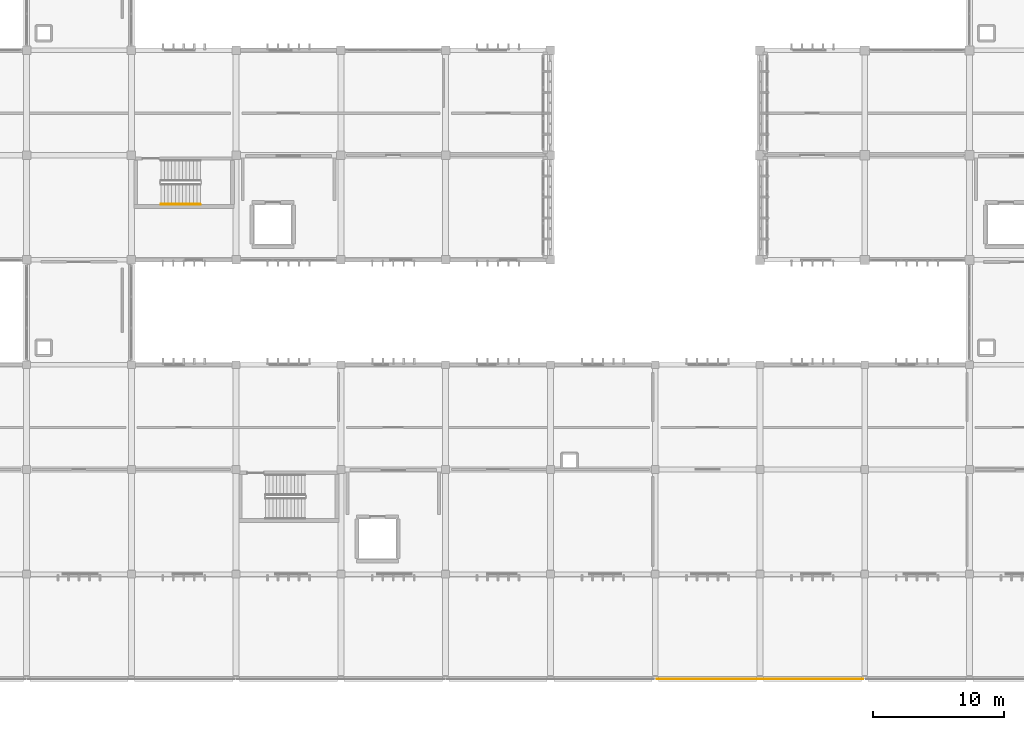
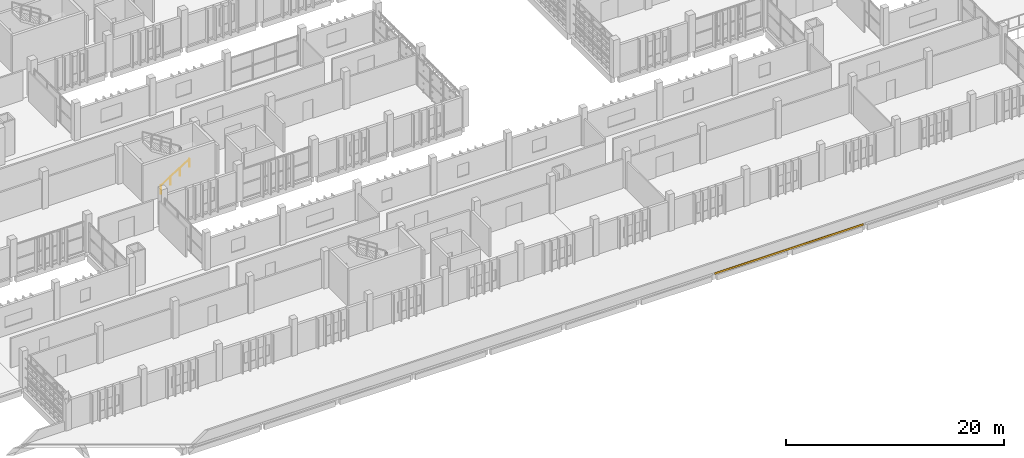
# One storey, part 132 of 137: 1 covering, 1 railing.
"""IFC4 building model written with IfcOpenShell, lengths in metres."""

from ifc_helpers import new_model, si_unit, direction, frame, origin, origin_2d, place, context, subcontext, project, spatial, rectangle, circle, extrude, material, layer, layer_set, type_object, element, save


model = new_model("IFC4")

# Units and contexts
model_context = context("Model", 3, precision=1e-05, world=origin(), true_north=direction((0.0, 1.0)))
body_context = subcontext(model_context, "Body", "Model", "MODEL_VIEW")
ifc_project = project(units=[si_unit("LENGTHUNIT", "METRE"), si_unit("AREAUNIT", "SQUARE_METRE"), si_unit("VOLUMEUNIT", "CUBIC_METRE"), si_unit("PLANEANGLEUNIT", "RADIAN"), si_unit("MASSUNIT", "GRAM", prefix="KILO")], contexts=[model_context])

# Site, building, storey
site_placement = place(None, origin())
site = spatial("IfcSite", under=ifc_project, at=site_placement, CompositionType="ELEMENT")
building_placement = place(site_placement, origin())
building = spatial("IfcBuilding", under=site, at=building_placement, Name="Jelvoka-Kovrelna Polytechnic", CompositionType="ELEMENT")
storey_placement = place(building_placement, frame((0.0, 0.0, 9.60009765625)))
storey = spatial("IfcBuildingStorey", under=building, at=storey_placement, Name="L03", CompositionType="ELEMENT", Elevation=9.60009765625)

# Covering
ifc_material_1 = material(Name="Anodised aluminium architectural fascia cladding", Category="aluminium")
ifc_layer = layer(ifc_material_1, 0.0400390625)
ifc_layer_set = layer_set([ifc_layer], Name="Anodised aluminium architectural fascia cladding")
covering_type = type_object("IfcCoveringType", Name="Covering_Fascia_Cladding_40", PredefinedType="CLADDING", material=ifc_layer_set)
covering_placement = place(storey_placement, frame((128.0, 0.0, -0.205078125), z_axis=(0.0, 0.0, 1.0), x_axis=(1.0, 0.0, 0.0)))
element("IfcCovering", 1, at=covering_placement, inside=storey, type_object=covering_type, Name="L03 colonnade eave anodised fascia cladding 05", PredefinedType="CLADDING", context=body_context, shape_type="SweptSolid", body=[
    extrude(rectangle(XDim=15.800048828125, YDim=0.0400390625, at=origin_2d()), origin(), (0.0, 0.0, 1.0), 0.219970703125),
])

# Railing
ifc_material_2 = material(Name="Brushed stainless steel handrail", Category="steel")
railing_type = type_object("IfcRailingType", Name="Railing_Stair_Handrail_900", PredefinedType="HANDRAIL", material=ifc_material_2)
railing_placement = place(storey_placement, frame((82.25, 36.25, 0.1748046875)))
element("IfcRailing", 2, at=railing_placement, inside=storey, type_object=railing_type, Name="L03 ST07 stair handrail 1", PredefinedType="HANDRAIL", context=body_context, shape_type="SweptSolid", body=[
    extrude(circle(Radius=0.02392578125, at=origin_2d()), frame((0.0, 0.0, 0.8759765625), z_axis=(0.84364746871, 0.0, 0.536897521451), x_axis=(0.0, 1.0, 0.0)), (0.0, 0.0, 1.0), 3.58544921875),
    extrude(circle(Radius=0.02099609375, at=origin_2d()), origin(), (0.0, 0.0, 1.0), 0.851806640625),
    extrude(circle(Radius=0.02099609375, at=origin_2d()), frame((1.00830078125, 0.0, 0.6416015625)), (0.0, 0.0, 1.0), 0.851806640625),
    extrude(circle(Radius=0.02099609375, at=origin_2d()), frame((2.0166015625, 0.0, 1.283447265625)), (0.0, 0.0, 1.0), 0.851806640625),
    extrude(circle(Radius=0.02099609375, at=origin_2d()), frame((3.02490234375, 0.0, 1.925048828125)), (0.0, 0.0, 1.0), 0.851806640625),
])

save(model, "model.ifc")
